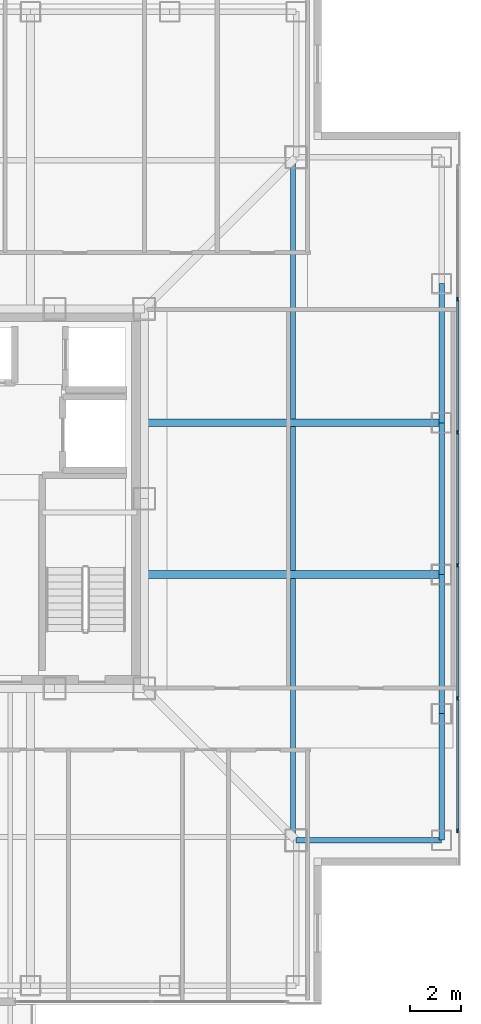
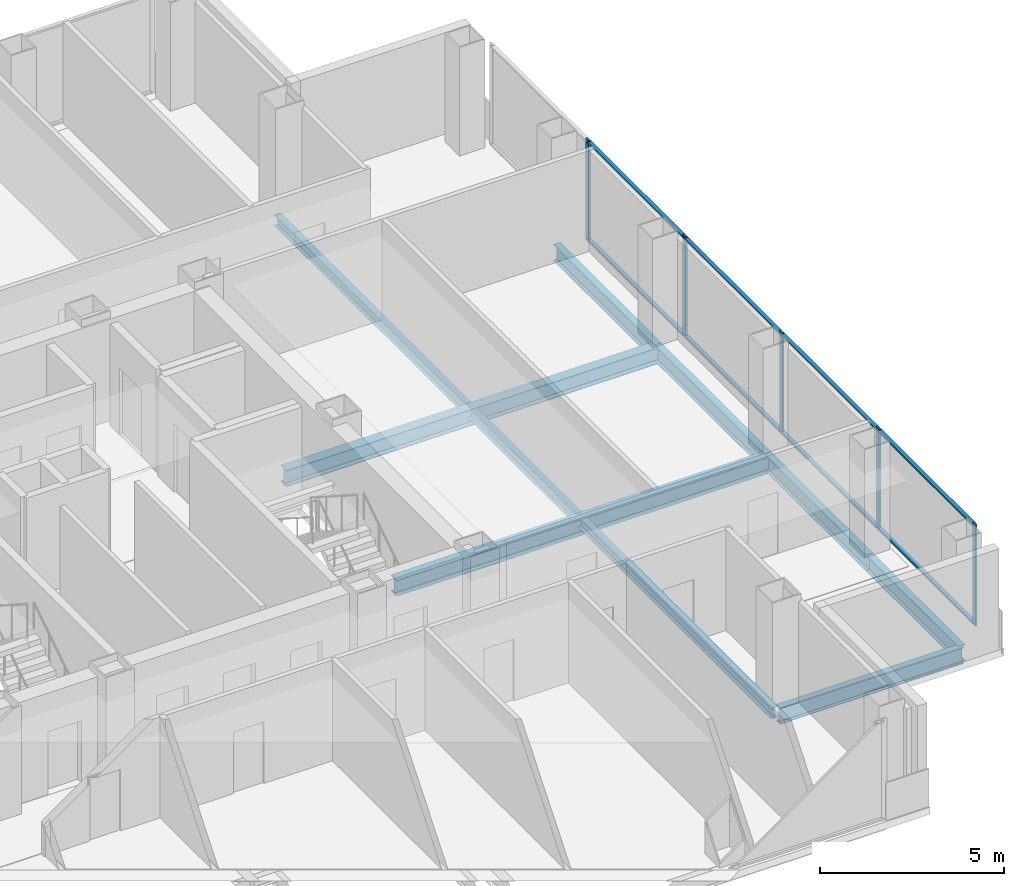
# One storey, part 6 of 16: 13 members, 8 beams, 1 element without a shape of its own.
"""IFC4 building model written with IfcOpenShell, lengths in metres."""

from ifc_helpers import new_model, si_unit, direction, frame, origin, origin_2d, place, context, subcontext, project, spatial, rectangle, i_section, extrude, material, layer, layer_set, material_profile, profile_set, type_object, element, aggregate, save


model = new_model("IFC4")

# Units and contexts
model_context = context("Model", 3, precision=1e-05, world=origin(), true_north=direction((0.0, 1.0)))
body_context = subcontext(model_context, "Body", "Model", "MODEL_VIEW")
ifc_project = project(units=[si_unit("LENGTHUNIT", "METRE"), si_unit("AREAUNIT", "SQUARE_METRE"), si_unit("VOLUMEUNIT", "CUBIC_METRE"), si_unit("PLANEANGLEUNIT", "RADIAN"), si_unit("MASSUNIT", "GRAM", prefix="KILO")], contexts=[model_context])

# Site, building, storey
site_placement = place(None, origin())
site = spatial("IfcSite", under=ifc_project, at=site_placement, CompositionType="ELEMENT")
building_placement = place(site_placement, origin())
building = spatial("IfcBuilding", under=site, at=building_placement, Name="Trevonay Congress Spire", CompositionType="ELEMENT")
storey_placement = place(building_placement, frame((0.0, 0.0, 177.0)))
storey = spatial("IfcBuildingStorey", under=building, at=storey_placement, Name="L45", CompositionType="ELEMENT", Elevation=177.0)

# Beams
ifc_material_1 = material(Name="Steel ASTM A572 Grade 50", Category="steel")
ifc_material_profile_1 = material_profile(ifc_material_1, i_section(OverallWidth=0.31201171875, OverallDepth=0.54296875, WebThickness=0.0126953125, FlangeThickness=0.020263671875, FilletRadius=0.014892578125, at=origin_2d()), Name="W530x150")
ifc_profile_set_1 = profile_set([ifc_material_profile_1], Name="Steel ASTM A572 Grade 50")
beam_type_1 = type_object("IfcBeamType", Name="BM-GIRD-W530X150", PredefinedType="BEAM", material=ifc_profile_set_1)
for number, where, z_axis, x_axis, name in (
    (1, (7.5, -3.0, -0.511474609375), (1.0, 0.0, 0.0), (0.0, 1.0, 0.0), "L45 structural beam BM-L45-GE-M"),
    (2, (7.5, 3.0, -0.511474609375), (1.0, 0.0, 0.0), (0.0, 1.0, 0.0), "L45 structural beam BM-L45-GE-P"),
):
    element("IfcBeam", number, at=place(storey_placement, frame(where, z_axis=z_axis, x_axis=x_axis)), inside=storey, type_object=beam_type_1, Name=name, PredefinedType="BEAM", context=body_context, shape_type="SweptSolid", body=[
        extrude(i_section(OverallWidth=0.31201171875, OverallDepth=0.54296875, WebThickness=0.0126953125, FlangeThickness=0.020263671875, FilletRadius=0.014892578125, at=origin_2d()), origin(), (0.0, 0.0, 1.0), 11.75),
    ])
ifc_material_profile_2 = material_profile(ifc_material_1, i_section(OverallWidth=0.2119140625, OverallDepth=0.5439453125, WebThickness=0.01318359375, FlangeThickness=0.021240234375, FilletRadius=0.014892578125, at=origin_2d()), Name="W530x123")
ifc_profile_set_2 = profile_set([ifc_material_profile_2], Name="Steel ASTM A572 Grade 50")
beam_type_2 = type_object("IfcBeamType", Name="BM-RING-W530X123", PredefinedType="BEAM", material=ifc_profile_set_2)
beam_1_placement = place(storey_placement, frame((19.25, -13.5, -0.511962890625), z_axis=(0.0, 1.0, 0.0), x_axis=(-1.0, 0.0, 0.0)))
element("IfcBeam", 3, at=beam_1_placement, inside=storey, type_object=beam_type_2, Name="L45 structural beam BM-L45-PE1", PredefinedType="BEAM", context=body_context, shape_type="SweptSolid", body=[
    extrude(i_section(OverallWidth=0.2119140625, OverallDepth=0.5439453125, WebThickness=0.01318359375, FlangeThickness=0.021240234375, FilletRadius=0.014892578125, at=origin_2d()), origin(), (0.0, 0.0, 1.0), 5.0),
])
beam_2_placement = place(storey_placement, frame((19.25, -8.5, -0.511962890625), z_axis=(0.0, 1.0, 0.0), x_axis=(-1.0, 0.0, 0.0)))
element("IfcBeam", 4, at=beam_2_placement, inside=storey, type_object=beam_type_2, Name="L45 structural beam BM-L45-PE2", PredefinedType="BEAM", context=body_context, shape_type="SweptSolid", body=[
    extrude(i_section(OverallWidth=0.2119140625, OverallDepth=0.5439453125, WebThickness=0.01318359375, FlangeThickness=0.021240234375, FilletRadius=0.014892578125, at=origin_2d()), origin(), (0.0, 0.0, 1.0), 5.5),
])
beam_3_placement = place(storey_placement, frame((19.25, -3.0, -0.511962890625), z_axis=(0.0, 1.0, 0.0), x_axis=(-1.0, 0.0, 0.0)))
element("IfcBeam", 5, at=beam_3_placement, inside=storey, type_object=beam_type_2, Name="L45 structural beam BM-L45-PE3", PredefinedType="BEAM", context=body_context, shape_type="SweptSolid", body=[
    extrude(i_section(OverallWidth=0.2119140625, OverallDepth=0.5439453125, WebThickness=0.01318359375, FlangeThickness=0.021240234375, FilletRadius=0.014892578125, at=origin_2d()), origin(), (0.0, 0.0, 1.0), 6.0),
])
beam_4_placement = place(storey_placement, frame((19.25, 3.0, -0.511962890625), z_axis=(0.0, 1.0, 0.0), x_axis=(-1.0, 0.0, 0.0)))
element("IfcBeam", 6, at=beam_4_placement, inside=storey, type_object=beam_type_2, Name="L45 structural beam BM-L45-PE4", PredefinedType="BEAM", context=body_context, shape_type="SweptSolid", body=[
    extrude(i_section(OverallWidth=0.2119140625, OverallDepth=0.5439453125, WebThickness=0.01318359375, FlangeThickness=0.021240234375, FilletRadius=0.014892578125, at=origin_2d()), origin(), (0.0, 0.0, 1.0), 5.5),
])
beam_5_placement = place(storey_placement, frame((19.25, -13.5, -0.511962890625), z_axis=(-1.0, 0.0, 0.0), x_axis=(0.0, -1.0, 0.0)))
element("IfcBeam", 7, at=beam_5_placement, inside=storey, type_object=beam_type_2, Name="L45 structural beam BM-L45-N2SE", PredefinedType="BEAM", context=body_context, shape_type="SweptSolid", body=[
    extrude(i_section(OverallWidth=0.2119140625, OverallDepth=0.5439453125, WebThickness=0.01318359375, FlangeThickness=0.021240234375, FilletRadius=0.014892578125, at=origin_2d()), origin(), (0.0, 0.0, 1.0), 5.75),
])

# Curtain wall, members
ifc_material_2 = material(Name="Pale Anodised Aluminium EN AW-6063-T6", Category="aluminium")
ifc_layer = layer(ifc_material_2, 0.169921875, Name="Pale Anodised Aluminium EN AW-6063-T6")
ifc_layer_set = layer_set([ifc_layer], Name="Pale Anodised Aluminium EN AW-6063-T6")
curtain_wall_type = type_object("IfcCurtainWallType", Name="CW-SYS04-CORP-PALE-METAL", PredefinedType="NOTDEFINED", material=ifc_layer_set)
curtain_wall_placement = place(storey_placement, origin())
curtain_wall = element("IfcCurtainWall", 8, at=curtain_wall_placement, inside=storey, type_object=curtain_wall_type, Name="L45 E unitised curtain wall", PredefinedType="NOTDEFINED")
ifc_material_profile_3 = material_profile(ifc_material_2, rectangle(XDim=0.06005859375, YDim=0.159912109375, at=origin_2d()), Name="CW-MULLION-160-ALUMINIUM")
ifc_profile_set_3 = profile_set([ifc_material_profile_3], Name="Pale Anodised Aluminium EN AW-6063-T6")
member_type_1 = type_object("IfcMemberType", Name="CW-MULLION-160-ALUMINIUM", PredefinedType="MULLION", material=ifc_profile_set_3)
member_1_placement = place(storey_placement, frame((19.8798828125, -13.1201171875, 0.0), z_axis=(0.0, 0.0, 1.0), x_axis=(-1.0, 0.0, 0.0)))
member_1 = element("IfcMember", 9, at=member_1_placement, type_object=member_type_1, Name="CW04 mullion 1", PredefinedType="MULLION", context=body_context, shape_type="SweptSolid", body=[
    extrude(rectangle(XDim=0.06005859375, YDim=0.159912109375, at=origin_2d()), origin(), (0.0, 0.0, 1.0), 3.360107421875),
])
member_2_placement = place(storey_placement, frame((19.8798828125, -7.889892578125, 0.0), z_axis=(0.0, 0.0, 1.0), x_axis=(-1.0, 0.0, 0.0)))
member_2 = element("IfcMember", 10, at=member_2_placement, type_object=member_type_1, Name="CW04 mullion 2", PredefinedType="MULLION", context=body_context, shape_type="SweptSolid", body=[
    extrude(rectangle(XDim=0.06005859375, YDim=0.159912109375, at=origin_2d()), origin(), (0.0, 0.0, 1.0), 3.360107421875),
])
member_3_placement = place(storey_placement, frame((19.8798828125, -2.6298828125, 0.0), z_axis=(0.0, 0.0, 1.0), x_axis=(-1.0, 0.0, 0.0)))
member_3 = element("IfcMember", 11, at=member_3_placement, type_object=member_type_1, Name="CW04 mullion 3", PredefinedType="MULLION", context=body_context, shape_type="SweptSolid", body=[
    extrude(rectangle(XDim=0.06005859375, YDim=0.159912109375, at=origin_2d()), origin(), (0.0, 0.0, 1.0), 3.360107421875),
])
member_4_placement = place(storey_placement, frame((19.8798828125, 2.6298828125, 0.0), z_axis=(0.0, 0.0, 1.0), x_axis=(-1.0, 0.0, 0.0)))
member_4 = element("IfcMember", 12, at=member_4_placement, type_object=member_type_1, Name="CW04 mullion 4", PredefinedType="MULLION", context=body_context, shape_type="SweptSolid", body=[
    extrude(rectangle(XDim=0.06005859375, YDim=0.159912109375, at=origin_2d()), origin(), (0.0, 0.0, 1.0), 3.360107421875),
])
member_5_placement = place(storey_placement, frame((19.8798828125, 7.889892578125, 0.0), z_axis=(0.0, 0.0, 1.0), x_axis=(-1.0, 0.0, 0.0)))
member_5 = element("IfcMember", 13, at=member_5_placement, type_object=member_type_1, Name="CW04 mullion 5", PredefinedType="MULLION", context=body_context, shape_type="SweptSolid", body=[
    extrude(rectangle(XDim=0.06005859375, YDim=0.159912109375, at=origin_2d()), origin(), (0.0, 0.0, 1.0), 3.360107421875),
])
ifc_material_profile_4 = material_profile(ifc_material_2, rectangle(XDim=0.1201171875, YDim=0.06005859375, at=origin_2d()), Name="CW-TRANSOM-120-ALUMINIUM")
ifc_profile_set_4 = profile_set([ifc_material_profile_4], Name="Pale Anodised Aluminium EN AW-6063-T6")
member_type_2 = type_object("IfcMemberType", Name="CW-TRANSOM-120-ALUMINIUM", PredefinedType="USERDEFINED", material=ifc_profile_set_4)
member_6_placement = place(storey_placement, frame((19.8798828125, -13.090087890625, 0.06005859375), z_axis=(0.0, 1.0, 0.0), x_axis=(-1.0, 0.0, 0.0)))
member_6 = element("IfcMember", 14, at=member_6_placement, type_object=member_type_2, Name="CW04 transom 1.1", ObjectType="TRANSOM", PredefinedType="USERDEFINED", context=body_context, shape_type="SweptSolid", body=[
    extrude(rectangle(XDim=0.1201171875, YDim=0.06005859375, at=origin_2d()), origin(), (0.0, 0.0, 1.0), 5.170166015625),
])
member_7_placement = place(storey_placement, frame((19.8798828125, -13.090087890625, 3.300048828125), z_axis=(0.0, 1.0, 0.0), x_axis=(-1.0, 0.0, 0.0)))
member_7 = element("IfcMember", 15, at=member_7_placement, type_object=member_type_2, Name="CW04 transom 1.2", ObjectType="TRANSOM", PredefinedType="USERDEFINED", context=body_context, shape_type="SweptSolid", body=[
    extrude(rectangle(XDim=0.1201171875, YDim=0.06005859375, at=origin_2d()), origin(), (0.0, 0.0, 1.0), 5.170166015625),
])
member_8_placement = place(storey_placement, frame((19.8798828125, -7.860107421875, 0.06005859375), z_axis=(0.0, 1.0, 0.0), x_axis=(-1.0, 0.0, 0.0)))
member_8 = element("IfcMember", 16, at=member_8_placement, type_object=member_type_2, Name="CW04 transom 2.1", ObjectType="TRANSOM", PredefinedType="USERDEFINED", context=body_context, shape_type="SweptSolid", body=[
    extrude(rectangle(XDim=0.1201171875, YDim=0.06005859375, at=origin_2d()), origin(), (0.0, 0.0, 1.0), 5.2001953125),
])
member_9_placement = place(storey_placement, frame((19.8798828125, -7.860107421875, 3.300048828125), z_axis=(0.0, 1.0, 0.0), x_axis=(-1.0, 0.0, 0.0)))
member_9 = element("IfcMember", 17, at=member_9_placement, type_object=member_type_2, Name="CW04 transom 2.2", ObjectType="TRANSOM", PredefinedType="USERDEFINED", context=body_context, shape_type="SweptSolid", body=[
    extrude(rectangle(XDim=0.1201171875, YDim=0.06005859375, at=origin_2d()), origin(), (0.0, 0.0, 1.0), 5.2001953125),
])
member_10_placement = place(storey_placement, frame((19.8798828125, -2.60009765625, 0.06005859375), z_axis=(0.0, 1.0, 0.0), x_axis=(-1.0, 0.0, 0.0)))
member_10 = element("IfcMember", 18, at=member_10_placement, type_object=member_type_2, Name="CW04 transom 3.1", ObjectType="TRANSOM", PredefinedType="USERDEFINED", context=body_context, shape_type="SweptSolid", body=[
    extrude(rectangle(XDim=0.1201171875, YDim=0.06005859375, at=origin_2d()), origin(), (0.0, 0.0, 1.0), 5.2001953125),
])
member_11_placement = place(storey_placement, frame((19.8798828125, -2.60009765625, 3.300048828125), z_axis=(0.0, 1.0, 0.0), x_axis=(-1.0, 0.0, 0.0)))
member_11 = element("IfcMember", 19, at=member_11_placement, type_object=member_type_2, Name="CW04 transom 3.2", ObjectType="TRANSOM", PredefinedType="USERDEFINED", context=body_context, shape_type="SweptSolid", body=[
    extrude(rectangle(XDim=0.1201171875, YDim=0.06005859375, at=origin_2d()), origin(), (0.0, 0.0, 1.0), 5.2001953125),
])
member_12_placement = place(storey_placement, frame((19.8798828125, 2.659912109375, 0.06005859375), z_axis=(0.0, 1.0, 0.0), x_axis=(-1.0, 0.0, 0.0)))
member_12 = element("IfcMember", 20, at=member_12_placement, type_object=member_type_2, Name="CW04 transom 4.1", ObjectType="TRANSOM", PredefinedType="USERDEFINED", context=body_context, shape_type="SweptSolid", body=[
    extrude(rectangle(XDim=0.1201171875, YDim=0.06005859375, at=origin_2d()), origin(), (0.0, 0.0, 1.0), 5.2001953125),
])
member_13_placement = place(storey_placement, frame((19.8798828125, 2.659912109375, 3.300048828125), z_axis=(0.0, 1.0, 0.0), x_axis=(-1.0, 0.0, 0.0)))
member_13 = element("IfcMember", 21, at=member_13_placement, type_object=member_type_2, Name="CW04 transom 4.2", ObjectType="TRANSOM", PredefinedType="USERDEFINED", context=body_context, shape_type="SweptSolid", body=[
    extrude(rectangle(XDim=0.1201171875, YDim=0.06005859375, at=origin_2d()), origin(), (0.0, 0.0, 1.0), 5.2001953125),
])
aggregate(curtain_wall, [member_1, member_2, member_3, member_4, member_5, member_6, member_7, member_8, member_9, member_10, member_11, member_12, member_13])

# Beam
ifc_material_profile_5 = material_profile(ifc_material_1, i_section(OverallWidth=0.205078125, OverallDepth=0.35400390625, WebThickness=0.009521484375, FlangeThickness=0.016845703125, FilletRadius=0.011962890625, at=origin_2d()), Name="W360x79")
ifc_profile_set_5 = profile_set([ifc_material_profile_5], Name="Steel ASTM A572 Grade 50")
beam_type_3 = type_object("IfcBeamType", Name="JS-COMP-W360X79", PredefinedType="JOIST", material=ifc_profile_set_5)
beam_6_placement = place(storey_placement, frame((13.375, -13.5, -0.4169921875), z_axis=(0.0, 1.0, 0.0), x_axis=(-1.0, 0.0, 0.0)))
element("IfcBeam", 22, at=beam_6_placement, inside=storey, type_object=beam_type_3, Name="L45 structural beam JS-L45-RING-E", PredefinedType="JOIST", context=body_context, shape_type="SweptSolid", body=[
    extrude(i_section(OverallWidth=0.205078125, OverallDepth=0.35400390625, WebThickness=0.009521484375, FlangeThickness=0.016845703125, FilletRadius=0.011962890625, at=origin_2d()), origin(), (0.0, 0.0, 1.0), 27.0),
])

save(model, "model.ifc")
